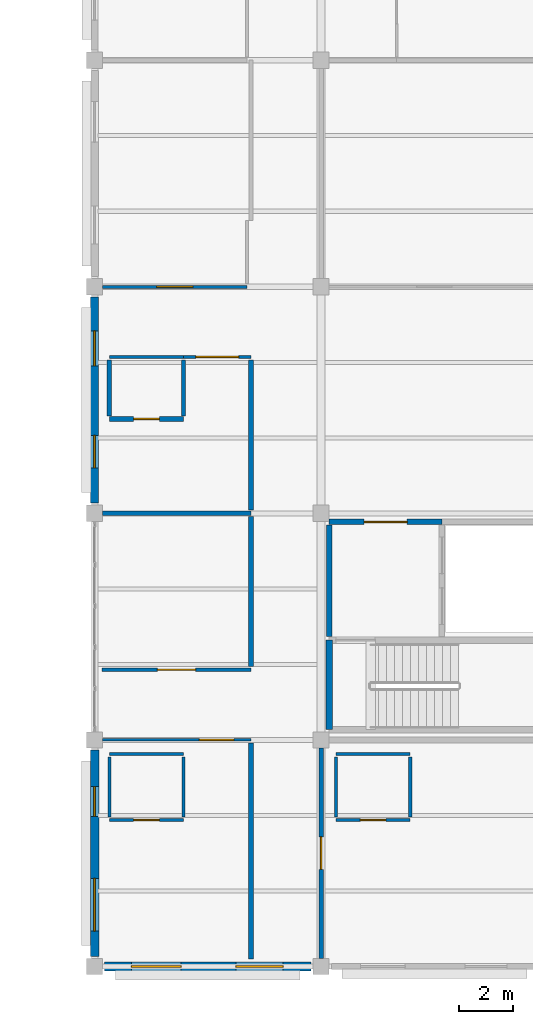
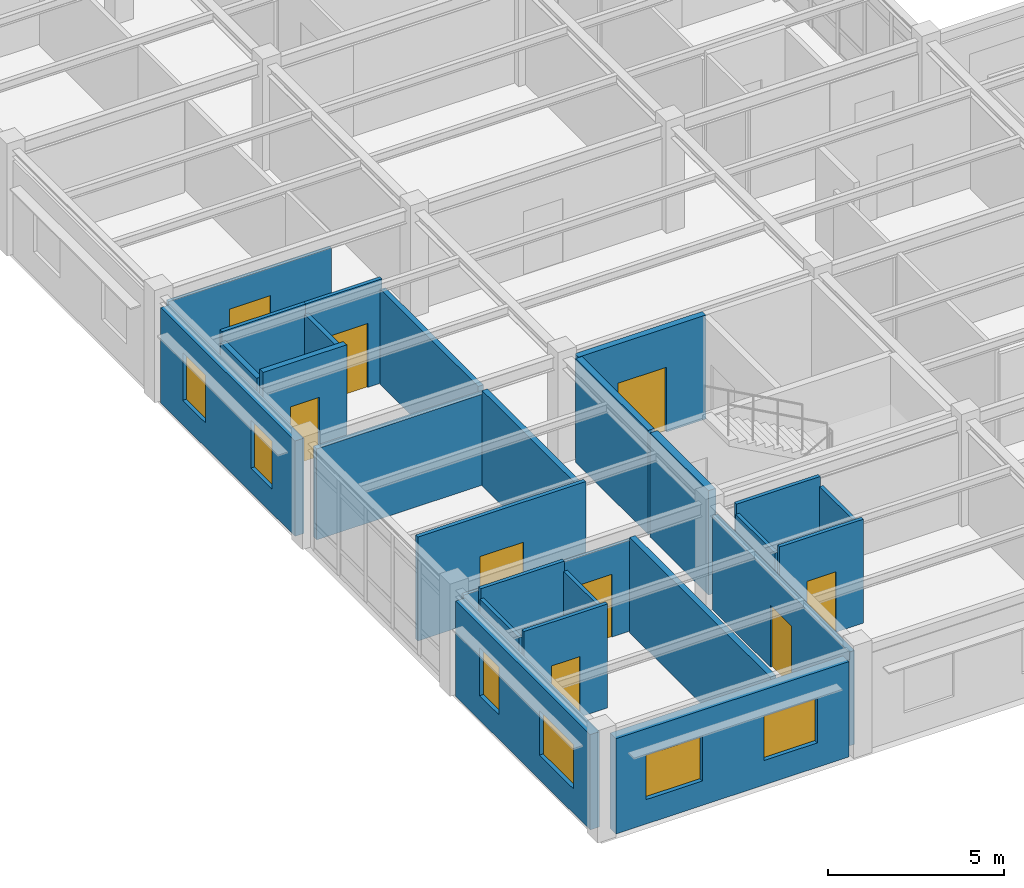
# One storey, part 50 of 86: 27 walls, 9 doors, 6 windows, 15 openings.
"""IFC4 building model written with IfcOpenShell, lengths in metres."""

from ifc_helpers import new_model, si_unit, direction, frame, frame_2d, origin, place, context, subcontext, project, spatial, rectangle, extrude, material, layer, layer_set, type_object, element, fill, save


model = new_model("IFC4")

# Units and contexts
model_context = context("Model", 3, precision=1e-05, world=origin(), true_north=direction((0.0, 1.0)))
body_context = subcontext(model_context, "Body", "Model", "MODEL_VIEW")
ifc_project = project(units=[si_unit("LENGTHUNIT", "METRE"), si_unit("AREAUNIT", "SQUARE_METRE"), si_unit("VOLUMEUNIT", "CUBIC_METRE"), si_unit("PLANEANGLEUNIT", "RADIAN"), si_unit("MASSUNIT", "GRAM", prefix="KILO")], contexts=[model_context])

# Site, building, storey
site_placement = place(None, origin())
site = spatial("IfcSite", under=ifc_project, at=site_placement, CompositionType="ELEMENT")
building_placement = place(site_placement, origin())
building = spatial("IfcBuilding", under=site, at=building_placement, Name="Bramfleet General Hospital", CompositionType="ELEMENT")
storey_placement = place(building_placement, frame((0.0, 0.0, 18.60009765625)))
storey = spatial("IfcBuildingStorey", under=building, at=storey_placement, Name="L04", CompositionType="ELEMENT", Elevation=18.60009765625)

# Wall, openings, windows
ifc_material_1 = material(Name="Precast concrete C40/50", Category="concrete")
ifc_layer_1 = layer(ifc_material_1, 0.3349609375, Name="WT-EW-03")
ifc_layer_set_1 = layer_set([ifc_layer_1], Name="Precast concrete C40/50")
wall_type_1 = type_object("IfcWallType", Name="WT-EW-03", PredefinedType="SOLIDWALL", material=ifc_layer_set_1)
wall_1_placement = place(storey_placement, frame((100.425048828125, 0.0, 0.0), z_axis=(0.0, 0.0, 1.0), x_axis=(-1.0, 0.0, 0.0)))
wall_1 = element("IfcWall", 1, at=wall_1_placement, inside=storey, type_object=wall_type_1, Name="L04 Exterior Wall 323", PredefinedType="SOLIDWALL", context=body_context, shape_type="SweptSolid", body=[
    extrude(rectangle(XDim=7.650146484375, YDim=0.3349609375, at=frame_2d((3.8251953125, 0.0))), origin(), (0.0, 0.0, 1.0), 3.309814453125),
])
opening_1_placement = place(wall_1_placement, frame((1.03759765625, 0.0, 0.85009765625)))
opening_1 = element("IfcOpeningElement", 2, at=opening_1_placement, cuts=wall_1, Name="Opening W-28", PredefinedType="OPENING", context=body_context, shape_type="SweptSolid", body=[
    extrude(rectangle(XDim=1.75, YDim=1.5400390625, at=frame_2d((0.875, 0.77001953125))), frame((0.0, 0.177490234375, 0.0), z_axis=(0.0, -1.0, 0.0), x_axis=(1.0, 0.0, 0.0)), (0.0, 0.0, 1.0), 0.35498046875),
])
opening_2_placement = place(wall_1_placement, frame((4.8125, 0.0, 0.85009765625)))
opening_2 = element("IfcOpeningElement", 3, at=opening_2_placement, cuts=wall_1, Name="Opening W-29", PredefinedType="OPENING", context=body_context, shape_type="SweptSolid", body=[
    extrude(rectangle(XDim=1.85009765625, YDim=1.5400390625, at=frame_2d((0.925048828125, 0.77001953125))), frame((0.0, 0.177490234375, 0.0), z_axis=(0.0, -1.0, 0.0), x_axis=(1.0, 0.0, 0.0)), (0.0, 0.0, 1.0), 0.35498046875),
])
ifc_material_2 = material(Name="Anodised aluminium and low-E triple glazing", Category="aluminium")
window_type_1 = type_object("IfcWindowType", Name="WIN-W-28", PartitioningType="SINGLE_PANEL", PredefinedType="WINDOW", material=ifc_material_2)
window_1_placement = place(opening_1_placement, origin())
window_1 = element("IfcWindow", 4, at=window_1_placement, inside=storey, type_object=window_type_1, Name="L04 Facade Window WIN-L04-323-1", OverallHeight=1.5400390625, OverallWidth=1.75, PartitioningType="SINGLE_PANEL", PredefinedType="WINDOW", context=body_context, shape_type="SweptSolid", body=[
    extrude(rectangle(XDim=1.75, YDim=1.5400390625, at=frame_2d((0.875, 0.77001953125))), frame((0.0, 0.030029296875, 0.0), z_axis=(0.0, -1.0, 0.0), x_axis=(1.0, 0.0, 0.0)), (0.0, 0.0, 1.0), 0.06005859375),
])
fill(opening_1, window_1)
window_type_2 = type_object("IfcWindowType", Name="WIN-W-29", PartitioningType="SINGLE_PANEL", PredefinedType="WINDOW", material=ifc_material_2)
window_2_placement = place(opening_2_placement, origin())
window_2 = element("IfcWindow", 5, at=window_2_placement, inside=storey, type_object=window_type_2, Name="L04 Facade Window WIN-L04-323-2", OverallHeight=1.5400390625, OverallWidth=1.85009765625, PartitioningType="SINGLE_PANEL", PredefinedType="WINDOW", context=body_context, shape_type="SweptSolid", body=[
    extrude(rectangle(XDim=1.85009765625, YDim=1.5400390625, at=frame_2d((0.925048828125, 0.77001953125))), frame((0.0, 0.030029296875, 0.0), z_axis=(0.0, -1.0, 0.0), x_axis=(1.0, 0.0, 0.0)), (0.0, 0.0, 1.0), 0.06005859375),
])
fill(opening_2, window_2)

ifc_layer_2 = layer(ifc_material_1, 0.31494140625, Name="WT-EW-04")
ifc_layer_set_2 = layer_set([ifc_layer_2], Name="Precast concrete C40/50")
wall_type_2 = type_object("IfcWallType", Name="WT-EW-04", PredefinedType="SOLIDWALL", material=ifc_layer_set_2)
wall_2_placement = place(storey_placement, frame((92.39990234375, 0.375, 0.0), z_axis=(0.0, 0.0, 1.0), x_axis=(0.0, 1.0, 0.0)))
wall_2 = element("IfcWall", 6, at=wall_2_placement, inside=storey, type_object=wall_type_2, Name="L04 Exterior Wall 324", PredefinedType="SOLIDWALL", context=body_context, shape_type="SweptSolid", body=[
    extrude(rectangle(XDim=7.64990234375, YDim=0.31494140625, at=frame_2d((3.824951171875, 0.0))), origin(), (0.0, 0.0, 1.0), 3.309814453125),
])
opening_3_placement = place(wall_2_placement, frame((0.9375, 0.0, 0.85009765625)))
opening_3 = element("IfcOpeningElement", 7, at=opening_3_placement, cuts=wall_2, Name="Opening W-30", PredefinedType="OPENING", context=body_context, shape_type="SweptSolid", body=[
    extrude(rectangle(XDim=1.949951171875, YDim=1.5400390625, at=frame_2d((0.97509765625, 0.77001953125))), frame((0.0, 0.16748046875, 0.0), z_axis=(0.0, -1.0, 0.0), x_axis=(1.0, 0.0, 0.0)), (0.0, 0.0, 1.0), 0.3349609375),
])
opening_4_placement = place(wall_2_placement, frame((5.1875, 0.0, 0.85009765625)))
opening_4 = element("IfcOpeningElement", 8, at=opening_4_placement, cuts=wall_2, Name="Opening W-31", PredefinedType="OPENING", context=body_context, shape_type="SweptSolid", body=[
    extrude(rectangle(XDim=1.10009765625, YDim=1.659912109375, at=frame_2d((0.550048828125, 0.830078125))), frame((0.0, 0.16748046875, 0.0), z_axis=(0.0, -1.0, 0.0), x_axis=(1.0, 0.0, 0.0)), (0.0, 0.0, 1.0), 0.3349609375),
])
window_type_3 = type_object("IfcWindowType", Name="WIN-W-30", PartitioningType="SINGLE_PANEL", PredefinedType="WINDOW", material=ifc_material_2)
window_3_placement = place(opening_3_placement, origin())
window_3 = element("IfcWindow", 9, at=window_3_placement, inside=storey, type_object=window_type_3, Name="L04 Facade Window WIN-L04-324-1", OverallHeight=1.5400390625, OverallWidth=1.949951171875, PartitioningType="SINGLE_PANEL", PredefinedType="WINDOW", context=body_context, shape_type="SweptSolid", body=[
    extrude(rectangle(XDim=1.949951171875, YDim=1.5400390625, at=frame_2d((0.97509765625, 0.77001953125))), frame((0.0, 0.030029296875, 0.0), z_axis=(0.0, -1.0, 0.0), x_axis=(1.0, 0.0, 0.0)), (0.0, 0.0, 1.0), 0.06005859375),
])
fill(opening_3, window_3)
window_type_4 = type_object("IfcWindowType", Name="WIN-W-31", PartitioningType="SINGLE_PANEL", PredefinedType="WINDOW", material=ifc_material_2)
window_4_placement = place(opening_4_placement, origin())
window_4 = element("IfcWindow", 10, at=window_4_placement, inside=storey, type_object=window_type_4, Name="L04 Facade Window WIN-L04-324-2", OverallHeight=1.659912109375, OverallWidth=1.10009765625, PartitioningType="SINGLE_PANEL", PredefinedType="WINDOW", context=body_context, shape_type="SweptSolid", body=[
    extrude(rectangle(XDim=1.10009765625, YDim=1.659912109375, at=frame_2d((0.550048828125, 0.830078125))), frame((0.0, 0.030029296875, 0.0), z_axis=(0.0, -1.0, 0.0), x_axis=(1.0, 0.0, 0.0)), (0.0, 0.0, 1.0), 0.06005859375),
])
fill(opening_4, window_4)

ifc_layer_3 = layer(ifc_material_1, 0.294921875, Name="WT-EW-05")
ifc_layer_set_3 = layer_set([ifc_layer_3], Name="Precast concrete C40/50")
wall_type_3 = type_object("IfcWallType", Name="WT-EW-05", PredefinedType="SOLIDWALL", material=ifc_layer_set_3)
wall_3_placement = place(storey_placement, frame((92.39990234375, 17.175048828125, 0.0), z_axis=(0.0, 0.0, 1.0), x_axis=(0.0, 1.0, 0.0)))
wall_3 = element("IfcWall", 11, at=wall_3_placement, inside=storey, type_object=wall_type_3, Name="L04 Exterior Wall 325", PredefinedType="SOLIDWALL", context=body_context, shape_type="SweptSolid", body=[
    extrude(rectangle(XDim=7.64990234375, YDim=0.294921875, at=frame_2d((3.824951171875, 0.0))), origin(), (0.0, 0.0, 1.0), 3.309814453125),
])
opening_5_placement = place(wall_3_placement, frame((1.3125, 0.0, 0.85009765625)))
opening_5 = element("IfcOpeningElement", 12, at=opening_5_placement, cuts=wall_3, Name="Opening W-32", PredefinedType="OPENING", context=body_context, shape_type="SweptSolid", body=[
    extrude(rectangle(XDim=1.199951171875, YDim=1.659912109375, at=frame_2d((0.60009765625, 0.830078125))), frame((0.0, 0.157470703125, 0.0), z_axis=(0.0, -1.0, 0.0), x_axis=(1.0, 0.0, 0.0)), (0.0, 0.0, 1.0), 0.31494140625),
])
opening_6_placement = place(wall_3_placement, frame((5.08740234375, 0.0, 0.85009765625)))
opening_6 = element("IfcOpeningElement", 13, at=opening_6_placement, cuts=wall_3, Name="Opening W-33", PredefinedType="OPENING", context=body_context, shape_type="SweptSolid", body=[
    extrude(rectangle(XDim=1.300048828125, YDim=1.659912109375, at=frame_2d((0.64990234375, 0.830078125))), frame((0.0, 0.157470703125, 0.0), z_axis=(0.0, -1.0, 0.0), x_axis=(1.0, 0.0, 0.0)), (0.0, 0.0, 1.0), 0.31494140625),
])
window_type_5 = type_object("IfcWindowType", Name="WIN-W-32", PartitioningType="SINGLE_PANEL", PredefinedType="WINDOW", material=ifc_material_2)
window_5_placement = place(opening_5_placement, origin())
window_5 = element("IfcWindow", 14, at=window_5_placement, inside=storey, type_object=window_type_5, Name="L04 Facade Window WIN-L04-325-1", OverallHeight=1.659912109375, OverallWidth=1.199951171875, PartitioningType="SINGLE_PANEL", PredefinedType="WINDOW", context=body_context, shape_type="SweptSolid", body=[
    extrude(rectangle(XDim=1.199951171875, YDim=1.659912109375, at=frame_2d((0.60009765625, 0.830078125))), frame((0.0, 0.030029296875, 0.0), z_axis=(0.0, -1.0, 0.0), x_axis=(1.0, 0.0, 0.0)), (0.0, 0.0, 1.0), 0.06005859375),
])
fill(opening_5, window_5)
window_type_6 = type_object("IfcWindowType", Name="WIN-W-33", PartitioningType="SINGLE_PANEL", PredefinedType="WINDOW", material=ifc_material_2)
window_6_placement = place(opening_6_placement, origin())
window_6 = element("IfcWindow", 15, at=window_6_placement, inside=storey, type_object=window_type_6, Name="L04 Facade Window WIN-L04-325-2", OverallHeight=1.659912109375, OverallWidth=1.300048828125, PartitioningType="SINGLE_PANEL", PredefinedType="WINDOW", context=body_context, shape_type="SweptSolid", body=[
    extrude(rectangle(XDim=1.300048828125, YDim=1.659912109375, at=frame_2d((0.64990234375, 0.830078125))), frame((0.0, 0.030029296875, 0.0), z_axis=(0.0, -1.0, 0.0), x_axis=(1.0, 0.0, 0.0)), (0.0, 0.0, 1.0), 0.06005859375),
])
fill(opening_6, window_6)

# Wall
ifc_material_3 = material(Name="Concrete C35/45", Category="concrete")
ifc_layer_4 = layer(ifc_material_3, 0.205078125, Name="WT-IW-02")
ifc_layer_set_4 = layer_set([ifc_layer_4], Name="Concrete C35/45")
wall_type_4 = type_object("IfcWallType", Name="WT-IW-02", PredefinedType="PARTITIONING", material=ifc_layer_set_4)
wall_4_placement = place(storey_placement, frame((101.10009765625, 12.239990234375, 0.0), z_axis=(0.0, 0.0, 1.0), x_axis=(0.0, 1.0, 0.0)))
element("IfcWall", 16, at=wall_4_placement, inside=storey, type_object=wall_type_4, Name="L04 C3 Lobby West Compartment Wall", PredefinedType="PARTITIONING", context=body_context, shape_type="SweptSolid", body=[
    extrude(rectangle(XDim=4.1201171875, YDim=0.205078125, at=frame_2d((2.06005859375, 0.0))), origin(), (0.0, 0.0, 1.0), 3.60986328125),
])

# Wall, opening, door
wall_5_placement = place(storey_placement, frame((101.10009765625, 16.47998046875, 0.0), z_axis=(0.0, 0.0, 1.0), x_axis=(1.0, 0.0, 0.0)))
wall_5 = element("IfcWall", 17, at=wall_5_placement, inside=storey, type_object=wall_type_4, Name="L04 C3 Lobby North Compartment Wall", PredefinedType="PARTITIONING", context=body_context, shape_type="SweptSolid", body=[
    extrude(rectangle(XDim=4.179931640625, YDim=0.205078125, at=frame_2d((2.08984375, 0.0))), origin(), (0.0, 0.0, 1.0), 3.60986328125),
])
opening_7_placement = place(wall_5_placement, frame((1.2900390625, 0.0, 0.0)))
opening_7 = element("IfcOpeningElement", 18, at=opening_7_placement, cuts=wall_5, Name="Opening D0030", PredefinedType="OPENING", context=body_context, shape_type="SweptSolid", body=[
    extrude(rectangle(XDim=1.60009765625, YDim=2.25, at=frame_2d((0.800048828125, 1.125))), frame((0.0, 0.112548828125, 0.0), z_axis=(0.0, -1.0, 0.0), x_axis=(1.0, 0.0, 0.0)), (0.0, 0.0, 1.0), 0.22509765625),
])
ifc_material_4 = material(Name="Stainless steel and acoustic timber leaf", Category="steel")
door_type_1 = type_object("IfcDoorType", Name="DR-D-04", OperationType="NOTDEFINED", PredefinedType="DOOR", material=ifc_material_4)
door_1_placement = place(opening_7_placement, origin())
door_1 = element("IfcDoor", 19, at=door_1_placement, inside=storey, type_object=door_type_1, Name="L04 C3 Lobby Fire Door D0030", OperationType="DOUBLE_SWING_LEFT", OverallHeight=2.25, OverallWidth=1.60009765625, PredefinedType="DOOR", context=body_context, shape_type="SweptSolid", body=[
    extrude(rectangle(XDim=1.60009765625, YDim=2.25, at=frame_2d((0.800048828125, 1.125))), frame((0.0, 0.02490234375, 0.0), z_axis=(0.0, -1.0, 0.0), x_axis=(1.0, 0.0, 0.0)), (0.0, 0.0, 1.0), 0.050048828125),
])
fill(opening_7, door_1)

ifc_layer_5 = layer(ifc_material_3, 0.18994140625, Name="WT-IW-03")
ifc_layer_set_5 = layer_set([ifc_layer_5], Name="Concrete C35/45")
wall_type_5 = type_object("IfcWallType", Name="WT-IW-03", PredefinedType="PARTITIONING", material=ifc_layer_set_5)
wall_6_placement = place(storey_placement, frame((92.949951171875, 20.300048828125, 0.0), z_axis=(0.0, 0.0, 1.0), x_axis=(1.0, 0.0, 0.0)))
wall_6 = element("IfcWall", 20, at=wall_6_placement, inside=storey, type_object=wall_type_5, Name="L04 Interior Partition IW-L04-3111", PredefinedType="PARTITIONING", context=body_context, shape_type="SweptSolid", body=[
    extrude(rectangle(XDim=2.75, YDim=0.18994140625, at=frame_2d((1.375, 0.0))), origin(), (0.0, 0.0, 1.0), 3.60986328125),
])
opening_8_placement = place(wall_6_placement, frame((0.89990234375, 0.0, 0.0)))
opening_8 = element("IfcOpeningElement", 21, at=opening_8_placement, cuts=wall_6, Name="Opening D1249", PredefinedType="OPENING", context=body_context, shape_type="SweptSolid", body=[
    extrude(rectangle(XDim=0.949951171875, YDim=2.10009765625, at=frame_2d((0.47509765625, 1.050048828125))), frame((0.0, 0.10498046875, 0.0), z_axis=(0.0, -1.0, 0.0), x_axis=(1.0, 0.0, 0.0)), (0.0, 0.0, 1.0), 0.2099609375),
])
door_type_2 = type_object("IfcDoorType", Name="DR-D-10", OperationType="NOTDEFINED", PredefinedType="DOOR", material=ifc_material_4)
door_2_placement = place(opening_8_placement, origin())
door_2 = element("IfcDoor", 22, at=door_2_placement, inside=storey, type_object=door_type_2, Name="En-Suite Bathroom L04-1102 Door D1249", OperationType="SINGLE_SWING_LEFT", OverallHeight=2.10009765625, OverallWidth=0.949951171875, PredefinedType="DOOR", context=body_context, shape_type="SweptSolid", body=[
    extrude(rectangle(XDim=0.949951171875, YDim=2.10009765625, at=frame_2d((0.47509765625, 1.050048828125))), frame((0.0, 0.02490234375, 0.0), z_axis=(0.0, -1.0, 0.0), x_axis=(1.0, 0.0, 0.0)), (0.0, 0.0, 1.0), 0.050048828125),
])
fill(opening_8, door_2)

# Walls
wall_7_placement = place(storey_placement, frame((98.199951171875, 0.280029296875, 0.0), z_axis=(0.0, 0.0, 1.0), x_axis=(0.0, 1.0, 0.0)))
element("IfcWall", 23, at=wall_7_placement, inside=storey, type_object=wall_type_5, Name="L04 Interior Partition IW-L04-3339", PredefinedType="PARTITIONING", context=body_context, shape_type="SweptSolid", body=[
    extrude(rectangle(XDim=8.0048828125, YDim=0.18994140625, at=frame_2d((4.00244140625, 0.0))), origin(), (0.0, 0.0, 1.0), 3.309814453125),
])
ifc_layer_6 = layer(ifc_material_3, 0.179931640625, Name="WT-IW-04")
ifc_layer_set_6 = layer_set([ifc_layer_6], Name="Concrete C35/45")
wall_type_6 = type_object("IfcWallType", Name="WT-IW-04", PredefinedType="PARTITIONING", material=ifc_layer_set_6)
wall_8_placement = place(storey_placement, frame((98.199951171875, 11.114990234375, 0.0), z_axis=(0.0, 0.0, 1.0), x_axis=(0.0, 1.0, 0.0)))
element("IfcWall", 24, at=wall_8_placement, inside=storey, type_object=wall_type_6, Name="L04 Interior Partition IW-L04-3340", PredefinedType="PARTITIONING", context=body_context, shape_type="SweptSolid", body=[
    extrude(rectangle(XDim=5.570068359375, YDim=0.179931640625, at=frame_2d((2.78515625, 0.0))), origin(), (0.0, 0.0, 1.0), 3.309814453125),
])
ifc_material_5 = material(Name="Gypsum plasterboard on acoustic steel studs", Category="steel")
ifc_layer_7 = layer(ifc_material_5, 0.169921875, Name="WT-IW-05")
ifc_layer_set_7 = layer_set([ifc_layer_7], Name="Gypsum plasterboard on acoustic steel studs")
wall_type_7 = type_object("IfcWallType", Name="WT-IW-05", PredefinedType="PARTITIONING", material=ifc_layer_set_7)
wall_9_placement = place(storey_placement, frame((92.695068359375, 16.800048828125, 0.0), z_axis=(0.0, 0.0, 1.0), x_axis=(1.0, 0.0, 0.0)))
element("IfcWall", 25, at=wall_9_placement, inside=storey, type_object=wall_type_7, Name="L04 Interior Partition IW-L04-3101", PredefinedType="PARTITIONING", context=body_context, shape_type="SweptSolid", body=[
    extrude(rectangle(XDim=5.5048828125, YDim=0.169921875, at=frame_2d((2.75244140625, 0.0))), origin(), (0.0, 0.0, 1.0), 3.159912109375),
])
wall_10_placement = place(storey_placement, frame((92.949951171875, 20.4150390625, 0.0), z_axis=(0.0, 0.0, 1.0), x_axis=(0.0, 1.0, 0.0)))
element("IfcWall", 26, at=wall_10_placement, inside=storey, type_object=wall_type_7, Name="L04 Interior Partition IW-L04-3329", PredefinedType="PARTITIONING", context=body_context, shape_type="SweptSolid", body=[
    extrude(rectangle(XDim=2.070068359375, YDim=0.169921875, at=frame_2d((1.03515625, 0.0))), origin(), (0.0, 0.0, 1.0), 3.309814453125),
])
wall_11_placement = place(storey_placement, frame((98.199951171875, 16.9150390625, 0.0), z_axis=(0.0, 0.0, 1.0), x_axis=(0.0, 1.0, 0.0)))
element("IfcWall", 27, at=wall_11_placement, inside=storey, type_object=wall_type_7, Name="L04 Interior Partition IW-L04-3341", PredefinedType="PARTITIONING", context=body_context, shape_type="SweptSolid", body=[
    extrude(rectangle(XDim=5.570068359375, YDim=0.169921875, at=frame_2d((2.78515625, 0.0))), origin(), (0.0, 0.0, 1.0), 3.309814453125),
])

# Wall, opening, door
wall_12_placement = place(storey_placement, frame((100.800048828125, 0.294921875, 0.0), z_axis=(0.0, 0.0, 1.0), x_axis=(0.0, 1.0, 0.0)))
wall_12 = element("IfcWall", 28, at=wall_12_placement, inside=storey, type_object=wall_type_7, Name="L04 Interior Partition IW-L04-3353", PredefinedType="PARTITIONING", context=body_context, shape_type="SweptSolid", body=[
    extrude(rectangle(XDim=7.81005859375, YDim=0.169921875, at=frame_2d((3.905029296875, 0.0))), origin(), (0.0, 0.0, 1.0), 3.260009765625),
])
opening_9_placement = place(wall_12_placement, frame((3.304931640625, 0.0, 0.0)))
opening_9 = element("IfcOpeningElement", 29, at=opening_9_placement, cuts=wall_12, Name="Opening D1261", PredefinedType="OPENING", context=body_context, shape_type="SweptSolid", body=[
    extrude(rectangle(XDim=1.199951171875, YDim=2.14990234375, at=frame_2d((0.60009765625, 1.074951171875))), frame((0.0, 0.094970703125, 0.0), z_axis=(0.0, -1.0, 0.0), x_axis=(1.0, 0.0, 0.0)), (0.0, 0.0, 1.0), 0.18994140625),
])
door_type_3 = type_object("IfcDoorType", Name="DR-D-13", OperationType="NOTDEFINED", PredefinedType="DOOR", material=ifc_material_4)
door_3_placement = place(opening_9_placement, origin())
door_3 = element("IfcDoor", 30, at=door_3_placement, inside=storey, type_object=door_type_3, Name="Surgical Inpatient Ward Bedroom L04-1200 Door D1261", OperationType="SINGLE_SWING_RIGHT", OverallHeight=2.14990234375, OverallWidth=1.199951171875, PredefinedType="DOOR", context=body_context, shape_type="SweptSolid", body=[
    extrude(rectangle(XDim=1.199951171875, YDim=2.14990234375, at=frame_2d((0.60009765625, 1.074951171875))), frame((0.0, 0.02490234375, 0.0), z_axis=(0.0, -1.0, 0.0), x_axis=(1.0, 0.0, 0.0)), (0.0, 0.0, 1.0), 0.050048828125),
])
fill(opening_9, door_3)

# Wall
ifc_layer_8 = layer(ifc_material_5, 0.139892578125, Name="WT-IW-08")
ifc_layer_set_8 = layer_set([ifc_layer_8], Name="Gypsum plasterboard on acoustic steel studs")
wall_type_8 = type_object("IfcWallType", Name="WT-IW-08", PredefinedType="PARTITIONING", material=ifc_layer_set_8)
wall_13_placement = place(storey_placement, frame((95.699951171875, 20.4150390625, 0.0), z_axis=(0.0, 0.0, 1.0), x_axis=(0.0, 1.0, 0.0)))
element("IfcWall", 31, at=wall_13_placement, inside=storey, type_object=wall_type_8, Name="L04 Interior Partition IW-L04-3332", PredefinedType="PARTITIONING", context=body_context, shape_type="SweptSolid", body=[
    extrude(rectangle(XDim=2.070068359375, YDim=0.139892578125, at=frame_2d((1.03515625, 0.0))), origin(), (0.0, 0.0, 1.0), 3.309814453125),
])

# Wall, opening, door
ifc_layer_9 = layer(ifc_material_5, 0.1298828125, Name="WT-IW-09")
ifc_layer_set_9 = layer_set([ifc_layer_9], Name="Gypsum plasterboard on acoustic steel studs")
wall_type_9 = type_object("IfcWallType", Name="WT-IW-09", PredefinedType="PARTITIONING", material=ifc_layer_set_9)
wall_14_placement = place(storey_placement, frame((92.679931640625, 11.0, 0.0), z_axis=(0.0, 0.0, 1.0), x_axis=(1.0, 0.0, 0.0)))
wall_14 = element("IfcWall", 32, at=wall_14_placement, inside=storey, type_object=wall_type_9, Name="L04 Interior Partition IW-L04-3093", PredefinedType="PARTITIONING", context=body_context, shape_type="SweptSolid", body=[
    extrude(rectangle(XDim=5.52001953125, YDim=0.1298828125, at=frame_2d((2.760009765625, 0.0))), origin(), (0.0, 0.0, 1.0), 3.60986328125),
])
opening_10_placement = place(wall_14_placement, frame((2.050048828125, 0.0, 0.0)))
opening_10 = element("IfcOpeningElement", 33, at=opening_10_placement, cuts=wall_14, Name="Opening D1247", PredefinedType="OPENING", context=body_context, shape_type="SweptSolid", body=[
    extrude(rectangle(XDim=1.419921875, YDim=2.219970703125, at=frame_2d((0.7099609375, 1.10986328125))), frame((0.0, 0.074951171875, 0.0), z_axis=(0.0, -1.0, 0.0), x_axis=(1.0, 0.0, 0.0)), (0.0, 0.0, 1.0), 0.14990234375),
])
door_type_4 = type_object("IfcDoorType", Name="DR-D-31", OperationType="NOTDEFINED", PredefinedType="DOOR", material=ifc_material_4)
door_4_placement = place(opening_10_placement, origin())
door_4 = element("IfcDoor", 34, at=door_4_placement, inside=storey, type_object=door_type_4, Name="Surgical Inpatient Ward Nurse Station L04-1101 Door D1247", OperationType="SINGLE_SWING_RIGHT", OverallHeight=2.219970703125, OverallWidth=1.419921875, PredefinedType="DOOR", context=body_context, shape_type="SweptSolid", body=[
    extrude(rectangle(XDim=1.419921875, YDim=2.219970703125, at=frame_2d((0.7099609375, 1.10986328125))), frame((0.0, 0.02490234375, 0.0), z_axis=(0.0, -1.0, 0.0), x_axis=(1.0, 0.0, 0.0)), (0.0, 0.0, 1.0), 0.050048828125),
])
fill(opening_10, door_4)

ifc_layer_10 = layer(ifc_material_5, 0.1201171875, Name="WT-IW-10")
ifc_layer_set_10 = layer_set([ifc_layer_10], Name="Gypsum plasterboard on acoustic steel studs")
wall_type_10 = type_object("IfcWallType", Name="WT-IW-10", PredefinedType="PARTITIONING", material=ifc_layer_set_10)
wall_15_placement = place(storey_placement, frame((92.949951171875, 5.429931640625, 0.0), z_axis=(0.0, 0.0, 1.0), x_axis=(1.0, 0.0, 0.0)))
wall_15 = element("IfcWall", 35, at=wall_15_placement, inside=storey, type_object=wall_type_10, Name="L04 Interior Partition IW-L04-3070", PredefinedType="PARTITIONING", context=body_context, shape_type="SweptSolid", body=[
    extrude(rectangle(XDim=2.75, YDim=0.1201171875, at=frame_2d((1.375, 0.0))), origin(), (0.0, 0.0, 1.0), 3.60986328125),
])
opening_11_placement = place(wall_15_placement, frame((0.89990234375, 0.0, 0.0)))
opening_11 = element("IfcOpeningElement", 36, at=opening_11_placement, cuts=wall_15, Name="Opening D1246", PredefinedType="OPENING", context=body_context, shape_type="SweptSolid", body=[
    extrude(rectangle(XDim=0.949951171875, YDim=2.10009765625, at=frame_2d((0.47509765625, 1.050048828125))), frame((0.0, 0.070068359375, 0.0), z_axis=(0.0, -1.0, 0.0), x_axis=(1.0, 0.0, 0.0)), (0.0, 0.0, 1.0), 0.14013671875),
])
door_5_placement = place(opening_11_placement, origin())
door_5 = element("IfcDoor", 37, at=door_5_placement, inside=storey, type_object=door_type_2, Name="En-Suite Bathroom L04-1100 Door D1246", OperationType="SINGLE_SWING_LEFT", OverallHeight=2.10009765625, OverallWidth=0.949951171875, PredefinedType="DOOR", context=body_context, shape_type="SweptSolid", body=[
    extrude(rectangle(XDim=0.949951171875, YDim=2.10009765625, at=frame_2d((0.47509765625, 1.050048828125))), frame((0.0, 0.02490234375, 0.0), z_axis=(0.0, -1.0, 0.0), x_axis=(1.0, 0.0, 0.0)), (0.0, 0.0, 1.0), 0.050048828125),
])
fill(opening_11, door_5)

wall_16_placement = place(storey_placement, frame((101.35009765625, 5.429931640625, 0.0), z_axis=(0.0, 0.0, 1.0), x_axis=(1.0, 0.0, 0.0)))
wall_16 = element("IfcWall", 38, at=wall_16_placement, inside=storey, type_object=wall_type_10, Name="L04 Interior Partition IW-L04-3071", PredefinedType="PARTITIONING", context=body_context, shape_type="SweptSolid", body=[
    extrude(rectangle(XDim=2.75, YDim=0.1201171875, at=frame_2d((1.375, 0.0))), origin(), (0.0, 0.0, 1.0), 3.60986328125),
])
opening_12_placement = place(wall_16_placement, frame((0.89990234375, 0.0, 0.0)))
opening_12 = element("IfcOpeningElement", 39, at=opening_12_placement, cuts=wall_16, Name="Opening D1262", PredefinedType="OPENING", context=body_context, shape_type="SweptSolid", body=[
    extrude(rectangle(XDim=0.949951171875, YDim=2.10009765625, at=frame_2d((0.47509765625, 1.050048828125))), frame((0.0, 0.070068359375, 0.0), z_axis=(0.0, -1.0, 0.0), x_axis=(1.0, 0.0, 0.0)), (0.0, 0.0, 1.0), 0.14013671875),
])
door_6_placement = place(opening_12_placement, origin())
door_6 = element("IfcDoor", 40, at=door_6_placement, inside=storey, type_object=door_type_2, Name="En-Suite Bathroom L04-1200 Door D1262", OperationType="SINGLE_SWING_LEFT", OverallHeight=2.10009765625, OverallWidth=0.949951171875, PredefinedType="DOOR", context=body_context, shape_type="SweptSolid", body=[
    extrude(rectangle(XDim=0.949951171875, YDim=2.10009765625, at=frame_2d((0.47509765625, 1.050048828125))), frame((0.0, 0.02490234375, 0.0), z_axis=(0.0, -1.0, 0.0), x_axis=(1.0, 0.0, 0.0)), (0.0, 0.0, 1.0), 0.050048828125),
])
fill(opening_12, door_6)

# Walls
for number, where, z_axis, x_axis, name in (
    (41, (92.949951171875, 7.8798828125, 0.0), (0.0, 0.0, 1.0), (1.0, 0.0, 0.0), "L04 Interior Partition IW-L04-3077"),
    (42, (101.35009765625, 7.8798828125, 0.0), (0.0, 0.0, 1.0), (1.0, 0.0, 0.0), "L04 Interior Partition IW-L04-3078"),
    (43, (92.949951171875, 22.60009765625, 0.0), (0.0, 0.0, 1.0), (1.0, 0.0, 0.0), "L04 Interior Partition IW-L04-3117"),
):
    element("IfcWall", number, at=place(storey_placement, frame(where, z_axis=z_axis, x_axis=x_axis)), inside=storey, type_object=wall_type_10, Name=name, PredefinedType="PARTITIONING", context=body_context, shape_type="SweptSolid", body=[
        extrude(rectangle(XDim=2.75, YDim=0.1201171875, at=frame_2d((1.375, 0.0))), origin(), (0.0, 0.0, 1.0), 3.60986328125),
    ])

# Wall, opening, door
wall_17_placement = place(storey_placement, frame((95.699951171875, 22.60009765625, 0.0), z_axis=(0.0, 0.0, 1.0), x_axis=(1.0, 0.0, 0.0)))
wall_17 = element("IfcWall", 44, at=wall_17_placement, inside=storey, type_object=wall_type_10, Name="L04 Interior Partition IW-L04-3118", PredefinedType="PARTITIONING", context=body_context, shape_type="SweptSolid", body=[
    extrude(rectangle(XDim=2.5, YDim=0.1201171875, at=frame_2d((1.25, 0.0))), origin(), (0.0, 0.0, 1.0), 3.60986328125),
])
opening_13_placement = place(wall_17_placement, frame((0.4599609375, 0.0, 0.0)))
opening_13 = element("IfcOpeningElement", 45, at=opening_13_placement, cuts=wall_17, Name="Opening D1248", PredefinedType="OPENING", context=body_context, shape_type="SweptSolid", body=[
    extrude(rectangle(XDim=1.580078125, YDim=2.219970703125, at=frame_2d((0.7900390625, 1.10986328125))), frame((0.0, 0.070068359375, 0.0), z_axis=(0.0, -1.0, 0.0), x_axis=(1.0, 0.0, 0.0)), (0.0, 0.0, 1.0), 0.14013671875),
])
door_type_5 = type_object("IfcDoorType", Name="DR-D-32", OperationType="NOTDEFINED", PredefinedType="DOOR", material=ifc_material_4)
door_7_placement = place(opening_13_placement, origin())
door_7 = element("IfcDoor", 46, at=door_7_placement, inside=storey, type_object=door_type_5, Name="Surgical Inpatient Ward Bedroom L04-1102 Door D1248", OperationType="DOUBLE_SWING_LEFT", OverallHeight=2.219970703125, OverallWidth=1.580078125, PredefinedType="DOOR", context=body_context, shape_type="SweptSolid", body=[
    extrude(rectangle(XDim=1.580078125, YDim=2.219970703125, at=frame_2d((0.7900390625, 1.10986328125))), frame((0.0, 0.02490234375, 0.0), z_axis=(0.0, -1.0, 0.0), x_axis=(1.0, 0.0, 0.0)), (0.0, 0.0, 1.0), 0.050048828125),
])
fill(opening_13, door_7)

# Walls
for number, where, z_axis, x_axis, name in (
    (47, (92.949951171875, 5.544921875, 0.0), (0.0, 0.0, 1.0), (0.0, 1.0, 0.0), "L04 Interior Partition IW-L04-3328"),
    (48, (95.699951171875, 5.544921875, 0.0), (0.0, 0.0, 1.0), (0.0, 1.0, 0.0), "L04 Interior Partition IW-L04-3331"),
    (49, (101.35009765625, 5.544921875, 0.0), (0.0, 0.0, 1.0), (0.0, 1.0, 0.0), "L04 Interior Partition IW-L04-3359"),
    (50, (104.10009765625, 5.544921875, 0.0), (0.0, 0.0, 1.0), (0.0, 1.0, 0.0), "L04 Interior Partition IW-L04-3366"),
):
    element("IfcWall", number, at=place(storey_placement, frame(where, z_axis=z_axis, x_axis=x_axis)), inside=storey, type_object=wall_type_10, Name=name, PredefinedType="PARTITIONING", context=body_context, shape_type="SweptSolid", body=[
        extrude(rectangle(XDim=2.219970703125, YDim=0.1201171875, at=frame_2d((1.10986328125, 0.0))), origin(), (0.0, 0.0, 1.0), 3.309814453125),
    ])

# Wall, opening, door
ifc_layer_11 = layer(ifc_material_5, 0.112060546875, Name="WT-IW-11")
ifc_layer_set_11 = layer_set([ifc_layer_11], Name="Gypsum plasterboard on acoustic steel studs")
wall_type_11 = type_object("IfcWallType", Name="WT-IW-11", PredefinedType="PARTITIONING", material=ifc_layer_set_11)
wall_18_placement = place(storey_placement, frame((92.695068359375, 25.199951171875, 0.0), z_axis=(0.0, 0.0, 1.0), x_axis=(1.0, 0.0, 0.0)))
wall_18 = element("IfcWall", 51, at=wall_18_placement, inside=storey, type_object=wall_type_11, Name="L04 Interior Partition IW-L04-3131", PredefinedType="PARTITIONING", context=body_context, shape_type="SweptSolid", body=[
    extrude(rectangle(XDim=5.35498046875, YDim=0.112060546875, at=frame_2d((2.677490234375, 0.0))), origin(), (0.0, 0.0, 1.0), 3.159912109375),
])
opening_14_placement = place(wall_18_placement, frame((2.00244140625, 0.0, 0.0)))
opening_14 = element("IfcOpeningElement", 52, at=opening_14_placement, cuts=wall_18, Name="Opening D1250", PredefinedType="OPENING", context=body_context, shape_type="SweptSolid", body=[
    extrude(rectangle(XDim=1.35009765625, YDim=2.199951171875, at=frame_2d((0.675048828125, 1.10009765625))), frame((0.0, 0.06591796875, 0.0), z_axis=(0.0, -1.0, 0.0), x_axis=(1.0, 0.0, 0.0)), (0.0, 0.0, 1.0), 0.132080078125),
])
door_type_6 = type_object("IfcDoorType", Name="DR-D-02", OperationType="NOTDEFINED", PredefinedType="DOOR", material=ifc_material_4)
door_8_placement = place(opening_14_placement, origin())
door_8 = element("IfcDoor", 53, at=door_8_placement, inside=storey, type_object=door_type_6, Name="Surgical Inpatient Ward Bedroom L04-1103 Door D1250", OperationType="SINGLE_SWING_LEFT", OverallHeight=2.199951171875, OverallWidth=1.35009765625, PredefinedType="DOOR", context=body_context, shape_type="SweptSolid", body=[
    extrude(rectangle(XDim=1.35009765625, YDim=2.199951171875, at=frame_2d((0.675048828125, 1.10009765625))), frame((0.0, 0.02490234375, 0.0), z_axis=(0.0, -1.0, 0.0), x_axis=(1.0, 0.0, 0.0)), (0.0, 0.0, 1.0), 0.050048828125),
])
fill(opening_14, door_8)

ifc_layer_12 = layer(ifc_material_5, 0.10009765625, Name="WT-IW-12")
ifc_layer_set_12 = layer_set([ifc_layer_12], Name="Gypsum plasterboard on acoustic steel studs")
wall_type_12 = type_object("IfcWallType", Name="WT-IW-12", PredefinedType="PARTITIONING", material=ifc_layer_set_12)
wall_19_placement = place(storey_placement, frame((92.695068359375, 8.39990234375, 0.0), z_axis=(0.0, 0.0, 1.0), x_axis=(1.0, 0.0, 0.0)))
wall_19 = element("IfcWall", 54, at=wall_19_placement, inside=storey, type_object=wall_type_12, Name="L04 Interior Partition IW-L04-3084", PredefinedType="PARTITIONING", context=body_context, shape_type="SweptSolid", body=[
    extrude(rectangle(XDim=5.5048828125, YDim=0.10009765625, at=frame_2d((2.75244140625, 0.0))), origin(), (0.0, 0.0, 1.0), 3.159912109375),
])
opening_15_placement = place(wall_19_placement, frame((3.586669921875, 0.0, 0.0)))
opening_15 = element("IfcOpeningElement", 55, at=opening_15_placement, cuts=wall_19, Name="Opening D1245", PredefinedType="OPENING", context=body_context, shape_type="SweptSolid", body=[
    extrude(rectangle(XDim=1.280029296875, YDim=2.179931640625, at=frame_2d((0.64013671875, 1.08984375))), frame((0.0, 0.06005859375, 0.0), z_axis=(0.0, -1.0, 0.0), x_axis=(1.0, 0.0, 0.0)), (0.0, 0.0, 1.0), 0.1201171875),
])
door_type_7 = type_object("IfcDoorType", Name="DR-D-29", OperationType="NOTDEFINED", PredefinedType="DOOR", material=ifc_material_4)
door_9_placement = place(opening_15_placement, origin())
door_9 = element("IfcDoor", 56, at=door_9_placement, inside=storey, type_object=door_type_7, Name="Surgical Inpatient Ward Bedroom L04-1100 Door D1245", OperationType="SINGLE_SWING_RIGHT", OverallHeight=2.179931640625, OverallWidth=1.280029296875, PredefinedType="DOOR", context=body_context, shape_type="SweptSolid", body=[
    extrude(rectangle(XDim=1.280029296875, YDim=2.179931640625, at=frame_2d((0.64013671875, 1.08984375))), frame((0.0, 0.02490234375, 0.0), z_axis=(0.0, -1.0, 0.0), x_axis=(1.0, 0.0, 0.0)), (0.0, 0.0, 1.0), 0.050048828125),
])
fill(opening_15, door_9)

# Wall
ifc_material_6 = material(Name="Concrete C40/50", Category="concrete")
ifc_layer_13 = layer(ifc_material_6, 0.239990234375, Name="WT-SW-240")
ifc_layer_set_13 = layer_set([ifc_layer_13], Name="Concrete C40/50")
wall_type_13 = type_object("IfcWallType", Name="WT-SW-240", PredefinedType="SHEAR", material=ifc_layer_set_13)
wall_20_placement = place(storey_placement, frame((101.10009765625, 8.780029296875, 0.0), z_axis=(0.0, 0.0, 1.0), x_axis=(0.0, 1.0, 0.0)))
element("IfcWall", 57, at=wall_20_placement, inside=storey, type_object=wall_type_13, Name="L04 C3 West Stair Shear Wall", PredefinedType="SHEAR", context=body_context, shape_type="SweptSolid", body=[
    extrude(rectangle(XDim=3.320068359375, YDim=0.239990234375, at=frame_2d((1.66015625, 0.0))), origin(), (0.0, 0.0, 1.0), 3.619873046875),
])

save(model, "model.ifc")
